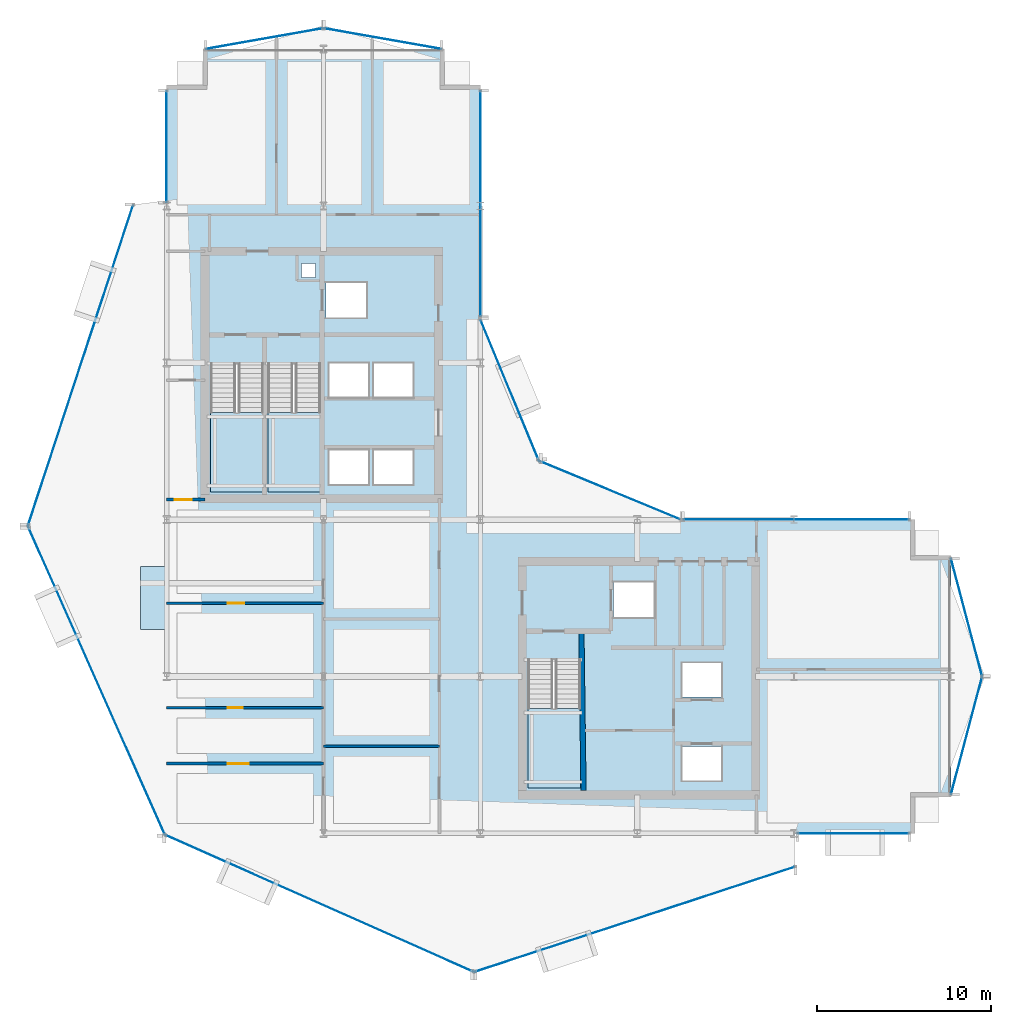
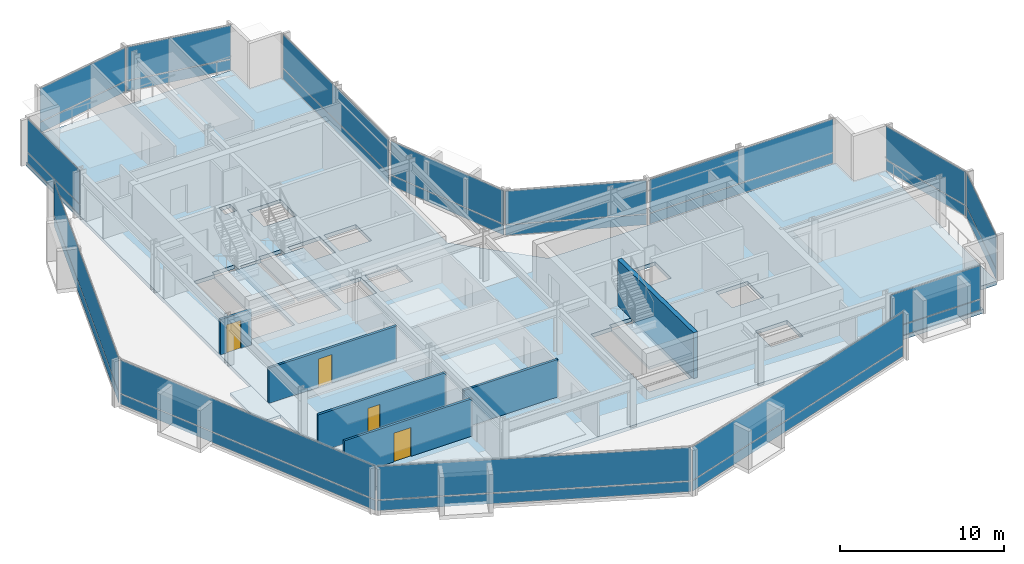
# One storey, part 21 of 28: 28 plates, 6 walls, 5 slabs, 4 doors, 4 openings, 17 elements without a shape of their own.
"""IFC4 building model written with IfcOpenShell, lengths in metres."""

import ifcopenshell
import ifcopenshell.guid

model = None  # the IFC model being written
_history = None  # IfcOwnerHistory: only IFC2X3 demands one
_inside = {}  # id of a spatial element -> (the spatial element, [elements in it])
_under = {}  # id of a project, library or spatial element -> (it, [spatial elements below it])
_declared = {}  # id of a project -> (the project, [libraries it declares])
_typed = {}  # id of a type object -> (the type object, [elements of that type])
_made_of = {}  # id of a material, layer set ... -> (it, [elements and type objects made of it])


def new_model(schema):
    """Start an empty IFC model of exactly this schema.

    Asked for "IFC4X3", IfcOpenShell would pick the latest addendum, in which some entities
    have other attributes; the version numbers below select the first issue.
    IFC2X3 requires an IfcOwnerHistory on every rooted entity: one is made here for all.
    """
    global model, _history
    if schema == "IFC4X3":
        model = ifcopenshell.file(schema_version=(4, 3, 0, 0))
    else:
        model = ifcopenshell.file(schema=schema)
    _inside.clear()
    _under.clear()
    _declared.clear()
    _typed.clear()
    _made_of.clear()
    _history = None
    if model.schema == "IFC2X3":
        org = make("IfcOrganization", Name="unknown")
        user = make(
            "IfcPersonAndOrganization",
            ThePerson=make("IfcPerson", FamilyName="unknown"),
            TheOrganization=org,
        )
        app = make(
            "IfcApplication",
            ApplicationDeveloper=org,
            Version="unknown",
            ApplicationFullName="unknown",
            ApplicationIdentifier="unknown",
        )
        _history = make(
            "IfcOwnerHistory",
            OwningUser=user,
            OwningApplication=app,
            ChangeAction="ADDED",
            CreationDate=0,
        )
    return model


def make(cls, **values):
    """One entity of the class cls with the attributes given. An attribute that is None is left unset."""
    return model.create_entity(
        cls, **{name: value for name, value in values.items() if value is not None}
    )


def rooted(cls, **values):
    """An entity with a GlobalId (a new one), such as an element, a storey or a relation."""
    return make(cls, GlobalId=ifcopenshell.guid.new(), OwnerHistory=_history, **values)


def si_unit(unit_type, name, prefix=None):
    """IfcSIUnit, for example si_unit("LENGTHUNIT", "METRE", prefix="MILLI")."""
    return make("IfcSIUnit", UnitType=unit_type, Prefix=prefix, Name=name)


def assignment(units):
    """IfcUnitAssignment: the units of a project."""
    return None if units is None else make("IfcUnitAssignment", Units=units)


def point(xyz):
    """IfcCartesianPoint."""
    return None if xyz is None else make("IfcCartesianPoint", Coordinates=xyz)


def direction(xyz):
    """IfcDirection."""
    return None if xyz is None else make("IfcDirection", DirectionRatios=xyz)


def frame(location, z_axis=None, x_axis=None):
    """IfcAxis2Placement3D, a coordinate frame: its origin and axes. An axis left out is left unset."""
    return make(
        "IfcAxis2Placement3D",
        Location=point(location),
        Axis=direction(z_axis),
        RefDirection=direction(x_axis),
    )


def frame_2d(location, x_axis=None):
    """IfcAxis2Placement2D, a coordinate frame in the plane: its origin and x axis."""
    return make(
        "IfcAxis2Placement2D", Location=point(location), RefDirection=direction(x_axis)
    )


def origin():
    """The frame at (0, 0, 0) with its axes left unset."""
    return frame((0.0, 0.0, 0.0))


def origin_2d():
    """The frame at (0, 0) in the plane with its x axis left unset."""
    return frame_2d((0.0, 0.0))


def place(relative_to, where):
    """IfcLocalPlacement: puts the frame where relative to a parent placement (None: the world)."""
    return make(
        "IfcLocalPlacement", PlacementRelTo=relative_to, RelativePlacement=where
    )


def context(
    kind, dimensions, precision=None, world=None, true_north=None, identifier=None
):
    """IfcGeometricRepresentationContext, for example the 3D "Model" context."""
    return make(
        "IfcGeometricRepresentationContext",
        ContextIdentifier=identifier,
        ContextType=kind,
        CoordinateSpaceDimension=dimensions,
        Precision=precision,
        WorldCoordinateSystem=world,
        TrueNorth=true_north,
    )


def subcontext(parent, identifier, kind, view, scale=None):
    """IfcGeometricRepresentationSubContext, for example "Body" below "Model"."""
    return make(
        "IfcGeometricRepresentationSubContext",
        ContextIdentifier=identifier,
        ContextType=kind,
        ParentContext=parent,
        TargetScale=scale,
        TargetView=view,
    )


def project(units=None, contexts=None):
    """IfcProject with its units and contexts."""
    return rooted(
        "IfcProject",
        Name="project",
        RepresentationContexts=contexts,
        UnitsInContext=assignment(units),
    )


def spatial(cls, under=None, at=None, **own):
    """A site, building, storey or space (cls), placed at a placement, below another one or the project."""
    s = rooted(cls, ObjectPlacement=at, **own)
    if under is not None:
        _under.setdefault(under.id(), (under, []))[1].append(s)
    return s


def polyline(points):
    """IfcPolyline through the points."""
    return make("IfcPolyline", Points=[point(p) for p in points])


def profile(cls, at=None, kind="AREA", **sizes):
    """A parametric profile (cls). Its sizes go by their IFC names, for example OverallWidth=200.0."""
    return make(cls, ProfileType=kind, Position=at, **sizes)


def rectangle(**sizes):
    """IfcRectangleProfileDef."""
    return profile("IfcRectangleProfileDef", **sizes)


def outline(outer, holes=None, kind="AREA"):
    """IfcArbitraryClosedProfileDef: a profile drawn as a closed curve; with holes, ...WithVoids."""
    if holes is None:
        return make("IfcArbitraryClosedProfileDef", ProfileType=kind, OuterCurve=outer)
    return make(
        "IfcArbitraryProfileDefWithVoids",
        ProfileType=kind,
        OuterCurve=outer,
        InnerCurves=holes,
    )


def extrude(swept, where, along, depth):
    """IfcExtrudedAreaSolid: the profile swept, set in the frame where, extruded along a direction by depth."""
    return make(
        "IfcExtrudedAreaSolid",
        SweptArea=swept,
        Position=where,
        ExtrudedDirection=direction(along),
        Depth=depth,
    )


def shape(context_of_items, identifier, shape_type, items):
    """IfcShapeRepresentation: the items that make up one representation, for example the "Body"."""
    return make(
        "IfcShapeRepresentation",
        ContextOfItems=context_of_items,
        RepresentationIdentifier=identifier,
        RepresentationType=shape_type,
        Items=items,
    )


def material(Name=None, Category=None):
    """IfcMaterial."""
    return make("IfcMaterial", Name=Name, Category=Category)


def layer(
    of_material, thickness, ventilated=None, Name=None, Category=None, Priority=None
):
    """IfcMaterialLayer: one layer of a wall or slab, of a material (None: an air gap)."""
    return make(
        "IfcMaterialLayer",
        Material=of_material,
        LayerThickness=thickness,
        IsVentilated=ventilated,
        Name=Name,
        Category=Category,
        Priority=Priority,
    )


def layer_set(layers, Name=None):
    """IfcMaterialLayerSet."""
    return make("IfcMaterialLayerSet", MaterialLayers=layers, LayerSetName=Name)


def made_of(thing, what):
    """Note that an element or type object is made of a material, layer set ...; save() writes the relation."""
    if what is not None:
        _made_of.setdefault(what.id(), (what, []))[1].append(thing)
    return thing


def type_object(cls, material=None, **own):
    """A type object (cls), such as IfcWallType, which elements share."""
    return made_of(rooted(cls, **own), material)


def element(
    cls,
    number,
    at=None,
    inside=None,
    cuts=None,
    type_object=None,
    material=None,
    context=None,
    identifier="Body",
    shape_type=None,
    held_by="IfcProductDefinitionShape",
    body=None,
    shapes=None,
    **own,
):
    """One element of the class cls, such as IfcWall. Its Tag is "e" and its number.

    at: its placement. inside: the storey or other place that contains it. cuts: it is an
    opening in that element (IfcRelVoidsElement). A single representation is given by context,
    identifier, shape_type and body (its items); several are given by shapes. held_by: the class
    of the entity that holds the representations. save() writes the other relations.
    """
    e = rooted(cls, Tag="e%d" % number, ObjectPlacement=at, **own)
    if body is not None:
        shapes = [shape(context, identifier, shape_type, body)]
    if shapes is not None:
        e.Representation = make(held_by, Representations=shapes)
    if inside is not None:
        _inside.setdefault(inside.id(), (inside, []))[1].append(e)
    if cuts is not None:
        rooted(
            "IfcRelVoidsElement", RelatingBuildingElement=cuts, RelatedOpeningElement=e
        )
    if type_object is not None:
        _typed.setdefault(type_object.id(), (type_object, []))[1].append(e)
    return made_of(e, material)


def fill(opening, filler):
    """IfcRelFillsElement: the door or window that sits in an opening."""
    return rooted(
        "IfcRelFillsElement",
        RelatingOpeningElement=opening,
        RelatedBuildingElement=filler,
    )


def aggregate(whole, parts):
    """IfcRelAggregates: a whole, such as a stair, and the parts it consists of."""
    return rooted("IfcRelAggregates", RelatingObject=whole, RelatedObjects=parts)


def save(model, path):
    """Write the relations noted so far, then the file.

    IfcRelAggregates (storeys below a building ...), IfcRelContainedInSpatialStructure (elements
    in a storey), IfcRelDefinesByType, IfcRelAssociatesMaterial and IfcRelDeclares: one each for
    every whole, place, type object, material and project.
    """
    for whole, parts in _under.values():
        aggregate(whole, parts)
    for where, things in _inside.values():
        rooted(
            "IfcRelContainedInSpatialStructure",
            RelatedElements=things,
            RelatingStructure=where,
        )
    for kind, things in _typed.values():
        rooted("IfcRelDefinesByType", RelatedObjects=things, RelatingType=kind)
    for what, things in _made_of.values():
        rooted("IfcRelAssociatesMaterial", RelatedObjects=things, RelatingMaterial=what)
    for by, libraries in _declared.values():
        rooted("IfcRelDeclares", RelatingContext=by, RelatedDefinitions=libraries)
    model.write(path)


model = new_model("IFC4")

# Units and contexts
model_context = context("Model", 3, precision=1e-05, world=origin(), true_north=direction((0.0, 1.0)))
body_context = subcontext(model_context, "Body", "Model", "MODEL_VIEW")
ifc_project = project(units=[si_unit("LENGTHUNIT", "METRE"), si_unit("AREAUNIT", "SQUARE_METRE"), si_unit("VOLUMEUNIT", "CUBIC_METRE"), si_unit("PLANEANGLEUNIT", "RADIAN"), si_unit("MASSUNIT", "GRAM", prefix="KILO")], contexts=[model_context])

# Site, building, storey
site_placement = place(None, origin())
site = spatial("IfcSite", under=ifc_project, at=site_placement, CompositionType="ELEMENT")
building_placement = place(site_placement, origin())
building = spatial("IfcBuilding", under=site, at=building_placement, Name="Solvaryn Broadcast Tower", CompositionType="ELEMENT")
storey_placement = place(building_placement, frame((0.0, 0.0, 132.199951171875)))
storey = spatial("IfcBuildingStorey", under=building, at=storey_placement, Name="L32", CompositionType="ELEMENT", Elevation=132.199951171875)

# Curtain wall, plates
ifc_material_1 = material(Name="Aluminium and Terracotta Unitised Curtain Wall", Category="masonry")
ifc_layer_1 = layer(ifc_material_1, 0.199951171875)
ifc_layer_set_1 = layer_set([ifc_layer_1], Name="CW-SYS2-LOWMID")
curtain_wall_type = type_object("IfcCurtainWallType", Name="CW-SYS2-LOWMID", PredefinedType="NOTDEFINED", material=ifc_layer_set_1)
curtain_wall_1_placement = place(storey_placement, origin())
curtain_wall_1 = element("IfcCurtainWall", 1, at=curtain_wall_1_placement, inside=storey, type_object=curtain_wall_type, Name="L32 Curtain Wall DR1", PredefinedType="NOTDEFINED")
ifc_material_2 = material(Name="Kiln-Fired Architectural Terracotta Spandrel", Category="masonry")
ifc_layer_2 = layer(ifc_material_2, 0.048095703125)
ifc_layer_set_2 = layer_set([ifc_layer_2], Name="CW-PNL-TERRACOTTA")
plate_type = type_object("IfcPlateType", Name="CW-PNL-TERRACOTTA", PredefinedType="CURTAIN_PANEL", material=ifc_layer_set_2)
plate_1_placement = place(storey_placement, frame((4.056396484375, 35.8515625, 0.06005859375), z_axis=(0.0, 0.0, 1.0), x_axis=(-0.311646057547, -0.950198260794, 0.0)))
plate_1 = element("IfcPlate", 2, at=plate_1_placement, type_object=plate_type, Name="CWS2 panel 1.1", PredefinedType="CURTAIN_PANEL", context=body_context, shape_type="SweptSolid", body=[
    extrude(rectangle(XDim=19.277099609375, YDim=0.028076171875, at=origin_2d()), origin(), (0.0, 0.0, 1.0), 0.760009765625),
])
plate_2_placement = place(storey_placement, frame((4.056396484375, 35.8515625, 0.880126953125), z_axis=(0.0, 0.0, 1.0), x_axis=(-0.311646057547, -0.950198260794, 0.0)))
plate_2 = element("IfcPlate", 3, at=plate_2_placement, type_object=plate_type, Name="CWS2 panel 1.2", PredefinedType="CURTAIN_PANEL", context=body_context, shape_type="SweptSolid", body=[
    extrude(rectangle(XDim=19.277099609375, YDim=0.028076171875, at=origin_2d()), origin(), (0.0, 0.0, 1.0), 2.47998046875),
])
aggregate(curtain_wall_1, [plate_1, plate_2])

curtain_wall_2_placement = place(storey_placement, origin())
curtain_wall_2 = element("IfcCurtainWall", 4, at=curtain_wall_2_placement, inside=storey, type_object=curtain_wall_type, Name="L32 Curtain Wall DR2", PredefinedType="NOTDEFINED")
plate_3_placement = place(storey_placement, frame((4.970947265625, 17.77197265625, 0.06005859375), z_axis=(0.0, 0.0, 1.0), x_axis=(0.405918429309, -0.913909311008, 0.0)))
plate_3 = element("IfcPlate", 5, at=plate_3_placement, type_object=plate_type, Name="CWS2 panel 1.1", PredefinedType="CURTAIN_PANEL", context=body_context, shape_type="SweptSolid", body=[
    extrude(rectangle(XDim=19.278076171875, YDim=0.028076171875, at=origin_2d()), origin(), (0.0, 0.0, 1.0), 0.760009765625),
])
plate_4_placement = place(storey_placement, frame((4.970947265625, 17.77197265625, 0.880126953125), z_axis=(0.0, 0.0, 1.0), x_axis=(0.405918429309, -0.913909311008, 0.0)))
plate_4 = element("IfcPlate", 6, at=plate_4_placement, type_object=plate_type, Name="CWS2 panel 1.2", PredefinedType="CURTAIN_PANEL", context=body_context, shape_type="SweptSolid", body=[
    extrude(rectangle(XDim=19.278076171875, YDim=0.028076171875, at=origin_2d()), origin(), (0.0, 0.0, 1.0), 2.47998046875),
])
aggregate(curtain_wall_2, [plate_3, plate_4])

curtain_wall_3_placement = place(storey_placement, origin())
curtain_wall_3 = element("IfcCurtainWall", 7, at=curtain_wall_3_placement, inside=storey, type_object=curtain_wall_type, Name="L32 Curtain Wall DR3", PredefinedType="NOTDEFINED")
plate_5_placement = place(storey_placement, frame((17.77197265625, 4.970947265625, 0.06005859375), z_axis=(0.0, 0.0, 1.0), x_axis=(0.913909311008, -0.405918429309, 0.0)))
plate_5 = element("IfcPlate", 8, at=plate_5_placement, type_object=plate_type, Name="CWS2 panel 1.1", PredefinedType="CURTAIN_PANEL", context=body_context, shape_type="SweptSolid", body=[
    extrude(rectangle(XDim=19.278076171875, YDim=0.028076171875, at=origin_2d()), origin(), (0.0, 0.0, 1.0), 0.760009765625),
])
plate_6_placement = place(storey_placement, frame((17.77197265625, 4.970947265625, 0.880126953125), z_axis=(0.0, 0.0, 1.0), x_axis=(0.913909311008, -0.405918429309, 0.0)))
plate_6 = element("IfcPlate", 9, at=plate_6_placement, type_object=plate_type, Name="CWS2 panel 1.2", PredefinedType="CURTAIN_PANEL", context=body_context, shape_type="SweptSolid", body=[
    extrude(rectangle(XDim=19.278076171875, YDim=0.028076171875, at=origin_2d()), origin(), (0.0, 0.0, 1.0), 2.47998046875),
])
aggregate(curtain_wall_3, [plate_5, plate_6])

curtain_wall_4_placement = place(storey_placement, origin())
curtain_wall_4 = element("IfcCurtainWall", 10, at=curtain_wall_4_placement, inside=storey, type_object=curtain_wall_type, Name="L32 Curtain Wall DR4", PredefinedType="NOTDEFINED")
plate_7_placement = place(storey_placement, frame((35.8515625, 4.056396484375, 0.06005859375), z_axis=(0.0, 0.0, 1.0), x_axis=(0.950198260794, 0.311646057547, 0.0)))
plate_7 = element("IfcPlate", 11, at=plate_7_placement, type_object=plate_type, Name="CWS2 panel 1.1", PredefinedType="CURTAIN_PANEL", context=body_context, shape_type="SweptSolid", body=[
    extrude(rectangle(XDim=19.277099609375, YDim=0.028076171875, at=origin_2d()), origin(), (0.0, 0.0, 1.0), 0.760009765625),
])
plate_8_placement = place(storey_placement, frame((35.8515625, 4.056396484375, 0.880126953125), z_axis=(0.0, 0.0, 1.0), x_axis=(0.950198260794, 0.311646057547, 0.0)))
plate_8 = element("IfcPlate", 12, at=plate_8_placement, type_object=plate_type, Name="CWS2 panel 1.2", PredefinedType="CURTAIN_PANEL", context=body_context, shape_type="SweptSolid", body=[
    extrude(rectangle(XDim=19.277099609375, YDim=0.028076171875, at=origin_2d()), origin(), (0.0, 0.0, 1.0), 2.47998046875),
])
aggregate(curtain_wall_4, [plate_7, plate_8])

curtain_wall_5_placement = place(storey_placement, origin())
curtain_wall_5 = element("IfcCurtainWall", 13, at=curtain_wall_5_placement, inside=storey, type_object=curtain_wall_type, Name="L32 Curtain Wall W2", PredefinedType="NOTDEFINED")
plate_9_placement = place(storey_placement, frame((9.0, 48.408447265625, 0.06005859375), z_axis=(0.0, 0.0, 1.0), x_axis=(0.0, 1.0, 0.0)))
plate_9 = element("IfcPlate", 14, at=plate_9_placement, type_object=plate_type, Name="CWS2 panel 1.1", PredefinedType="CURTAIN_PANEL", context=body_context, shape_type="SweptSolid", body=[
    extrude(rectangle(XDim=6.363037109375, YDim=0.028076171875, at=origin_2d()), origin(), (0.0, 0.0, 1.0), 0.760009765625),
])
plate_10_placement = place(storey_placement, frame((9.0, 48.408447265625, 0.880126953125), z_axis=(0.0, 0.0, 1.0), x_axis=(0.0, 1.0, 0.0)))
plate_10 = element("IfcPlate", 15, at=plate_10_placement, type_object=plate_type, Name="CWS2 panel 1.2", PredefinedType="CURTAIN_PANEL", context=body_context, shape_type="SweptSolid", body=[
    extrude(rectangle(XDim=6.363037109375, YDim=0.028076171875, at=origin_2d()), origin(), (0.0, 0.0, 1.0), 2.47998046875),
])
aggregate(curtain_wall_5, [plate_9, plate_10])

curtain_wall_6_placement = place(storey_placement, origin())
curtain_wall_6 = element("IfcCurtainWall", 16, at=curtain_wall_6_placement, inside=storey, type_object=curtain_wall_type, Name="L32 Curtain Wall IV", PredefinedType="NOTDEFINED")
plate_11_placement = place(storey_placement, frame((27.0, 45.125, 0.06005859375), z_axis=(0.0, 0.0, 1.0), x_axis=(0.0, -1.0, 0.0)))
plate_11 = element("IfcPlate", 17, at=plate_11_placement, type_object=plate_type, Name="CWS2 panel 1.1", PredefinedType="CURTAIN_PANEL", context=body_context, shape_type="SweptSolid", body=[
    extrude(rectangle(XDim=12.929931640625, YDim=0.028076171875, at=origin_2d()), origin(), (0.0, 0.0, 1.0), 0.760009765625),
])
plate_12_placement = place(storey_placement, frame((27.0, 45.125, 0.880126953125), z_axis=(0.0, 0.0, 1.0), x_axis=(0.0, -1.0, 0.0)))
plate_12 = element("IfcPlate", 18, at=plate_12_placement, type_object=plate_type, Name="CWS2 panel 1.2", PredefinedType="CURTAIN_PANEL", context=body_context, shape_type="SweptSolid", body=[
    extrude(rectangle(XDim=12.929931640625, YDim=0.028076171875, at=origin_2d()), origin(), (0.0, 0.0, 1.0), 2.47998046875),
])
aggregate(curtain_wall_6, [plate_11, plate_12])

curtain_wall_7_placement = place(storey_placement, origin())
curtain_wall_7 = element("IfcCurtainWall", 19, at=curtain_wall_7_placement, inside=storey, type_object=curtain_wall_type, Name="L32 Curtain Wall CN1", PredefinedType="NOTDEFINED")
plate_13_placement = place(storey_placement, frame((34.43408203125, 28.68408203125, 0.06005859375), z_axis=(0.0, 0.0, 1.0), x_axis=(-0.923894983957, 0.382646127145, 0.0)))
plate_13 = element("IfcPlate", 20, at=plate_13_placement, type_object=plate_type, Name="CWS2 panel 1.1", PredefinedType="CURTAIN_PANEL", context=body_context, shape_type="SweptSolid", body=[
    extrude(rectangle(XDim=8.681884765625, YDim=0.028076171875, at=origin_2d()), origin(), (0.0, 0.0, 1.0), 0.760009765625),
])
plate_14_placement = place(storey_placement, frame((34.43408203125, 28.68408203125, 0.880126953125), z_axis=(0.0, 0.0, 1.0), x_axis=(-0.923894983957, 0.382646127145, 0.0)))
plate_14 = element("IfcPlate", 21, at=plate_14_placement, type_object=plate_type, Name="CWS2 panel 1.2", PredefinedType="CURTAIN_PANEL", context=body_context, shape_type="SweptSolid", body=[
    extrude(rectangle(XDim=8.681884765625, YDim=0.028076171875, at=origin_2d()), origin(), (0.0, 0.0, 1.0), 2.47998046875),
])
aggregate(curtain_wall_7, [plate_13, plate_14])

curtain_wall_8_placement = place(storey_placement, origin())
curtain_wall_8 = element("IfcCurtainWall", 22, at=curtain_wall_8_placement, inside=storey, type_object=curtain_wall_type, Name="L32 Curtain Wall CN2", PredefinedType="NOTDEFINED")
plate_15_placement = place(storey_placement, frame((28.68408203125, 34.43408203125, 0.06005859375), z_axis=(0.0, 0.0, 1.0), x_axis=(-0.382646127145, 0.923894983957, 0.0)))
plate_15 = element("IfcPlate", 23, at=plate_15_placement, type_object=plate_type, Name="CWS2 panel 1.1", PredefinedType="CURTAIN_PANEL", context=body_context, shape_type="SweptSolid", body=[
    extrude(rectangle(XDim=8.681884765625, YDim=0.028076171875, at=origin_2d()), origin(), (0.0, 0.0, 1.0), 0.760009765625),
])
plate_16_placement = place(storey_placement, frame((28.68408203125, 34.43408203125, 0.880126953125), z_axis=(0.0, 0.0, 1.0), x_axis=(-0.382646127145, 0.923894983957, 0.0)))
plate_16 = element("IfcPlate", 24, at=plate_16_placement, type_object=plate_type, Name="CWS2 panel 1.2", PredefinedType="CURTAIN_PANEL", context=body_context, shape_type="SweptSolid", body=[
    extrude(rectangle(XDim=8.681884765625, YDim=0.028076171875, at=origin_2d()), origin(), (0.0, 0.0, 1.0), 2.47998046875),
])
aggregate(curtain_wall_8, [plate_15, plate_16])

curtain_wall_9_placement = place(storey_placement, origin())
curtain_wall_9 = element("IfcCurtainWall", 25, at=curtain_wall_9_placement, inside=storey, type_object=curtain_wall_type, Name="L32 Curtain Wall S2", PredefinedType="NOTDEFINED")
plate_17_placement = place(storey_placement, frame((48.408447265625, 9.0, 0.06005859375), z_axis=(0.0, 0.0, 1.0), x_axis=(1.0, 0.0, 0.0)))
plate_17 = element("IfcPlate", 26, at=plate_17_placement, type_object=plate_type, Name="CWS2 panel 1.1", PredefinedType="CURTAIN_PANEL", context=body_context, shape_type="SweptSolid", body=[
    extrude(rectangle(XDim=6.363037109375, YDim=0.028076171875, at=origin_2d()), origin(), (0.0, 0.0, 1.0), 0.760009765625),
])
plate_18_placement = place(storey_placement, frame((48.408447265625, 9.0, 0.880126953125), z_axis=(0.0, 0.0, 1.0), x_axis=(1.0, 0.0, 0.0)))
plate_18 = element("IfcPlate", 27, at=plate_18_placement, type_object=plate_type, Name="CWS2 panel 1.2", PredefinedType="CURTAIN_PANEL", context=body_context, shape_type="SweptSolid", body=[
    extrude(rectangle(XDim=6.363037109375, YDim=0.028076171875, at=origin_2d()), origin(), (0.0, 0.0, 1.0), 2.47998046875),
])
aggregate(curtain_wall_9, [plate_17, plate_18])

curtain_wall_10_placement = place(storey_placement, origin())
curtain_wall_10 = element("IfcCurtainWall", 28, at=curtain_wall_10_placement, inside=storey, type_object=curtain_wall_type, Name="L32 Curtain Wall NT1", PredefinedType="NOTDEFINED")
plate_19_placement = place(storey_placement, frame((21.39990234375, 54.60009765625, 0.06005859375), z_axis=(0.0, 0.0, 1.0), x_axis=(-0.984783558819, 0.173785333901, 0.0)))
plate_19 = element("IfcPlate", 29, at=plate_19_placement, type_object=plate_type, Name="CWS2 panel 1.1", PredefinedType="CURTAIN_PANEL", context=body_context, shape_type="SweptSolid", body=[
    extrude(rectangle(XDim=6.78515625, YDim=0.028076171875, at=origin_2d()), origin(), (0.0, 0.0, 1.0), 0.760009765625),
])
plate_20_placement = place(storey_placement, frame((21.39990234375, 54.60009765625, 0.880126953125), z_axis=(0.0, 0.0, 1.0), x_axis=(-0.984783558819, 0.173785333901, 0.0)))
plate_20 = element("IfcPlate", 30, at=plate_20_placement, type_object=plate_type, Name="CWS2 panel 1.2", PredefinedType="CURTAIN_PANEL", context=body_context, shape_type="SweptSolid", body=[
    extrude(rectangle(XDim=6.78515625, YDim=0.028076171875, at=origin_2d()), origin(), (0.0, 0.0, 1.0), 2.47998046875),
])
aggregate(curtain_wall_10, [plate_19, plate_20])

curtain_wall_11_placement = place(storey_placement, origin())
curtain_wall_11 = element("IfcCurtainWall", 31, at=curtain_wall_11_placement, inside=storey, type_object=curtain_wall_type, Name="L32 Curtain Wall NT2", PredefinedType="NOTDEFINED")
plate_21_placement = place(storey_placement, frame((14.60009765625, 54.60009765625, 0.06005859375), z_axis=(0.0, 0.0, 1.0), x_axis=(-0.984783558819, -0.173785333901, 0.0)))
plate_21 = element("IfcPlate", 32, at=plate_21_placement, type_object=plate_type, Name="CWS2 panel 1.1", PredefinedType="CURTAIN_PANEL", context=body_context, shape_type="SweptSolid", body=[
    extrude(rectangle(XDim=6.78515625, YDim=0.028076171875, at=origin_2d()), origin(), (0.0, 0.0, 1.0), 0.760009765625),
])
plate_22_placement = place(storey_placement, frame((14.60009765625, 54.60009765625, 0.880126953125), z_axis=(0.0, 0.0, 1.0), x_axis=(-0.984783558819, -0.173785333901, 0.0)))
plate_22 = element("IfcPlate", 33, at=plate_22_placement, type_object=plate_type, Name="CWS2 panel 1.2", PredefinedType="CURTAIN_PANEL", context=body_context, shape_type="SweptSolid", body=[
    extrude(rectangle(XDim=6.78515625, YDim=0.028076171875, at=origin_2d()), origin(), (0.0, 0.0, 1.0), 2.47998046875),
])
aggregate(curtain_wall_11, [plate_21, plate_22])

curtain_wall_12_placement = place(storey_placement, origin())
curtain_wall_12 = element("IfcCurtainWall", 34, at=curtain_wall_12_placement, inside=storey, type_object=curtain_wall_type, Name="L32 Curtain Wall ET1", PredefinedType="NOTDEFINED")
plate_23_placement = place(storey_placement, frame((54.89990234375, 21.39990234375, 0.06005859375), z_axis=(0.0, 0.0, 1.0), x_axis=(0.25589256031, -0.966705227863, 0.0)))
plate_23 = element("IfcPlate", 35, at=plate_23_placement, type_object=plate_type, Name="CWS2 panel 1.1", PredefinedType="CURTAIN_PANEL", context=body_context, shape_type="SweptSolid", body=[
    extrude(rectangle(XDim=6.914306640625, YDim=0.028076171875, at=origin_2d()), origin(), (0.0, 0.0, 1.0), 0.760009765625),
])
plate_24_placement = place(storey_placement, frame((54.89990234375, 21.39990234375, 0.880126953125), z_axis=(0.0, 0.0, 1.0), x_axis=(0.25589256031, -0.966705227863, 0.0)))
plate_24 = element("IfcPlate", 36, at=plate_24_placement, type_object=plate_type, Name="CWS2 panel 1.2", PredefinedType="CURTAIN_PANEL", context=body_context, shape_type="SweptSolid", body=[
    extrude(rectangle(XDim=6.914306640625, YDim=0.028076171875, at=origin_2d()), origin(), (0.0, 0.0, 1.0), 2.47998046875),
])
aggregate(curtain_wall_12, [plate_23, plate_24])

curtain_wall_13_placement = place(storey_placement, origin())
curtain_wall_13 = element("IfcCurtainWall", 37, at=curtain_wall_13_placement, inside=storey, type_object=curtain_wall_type, Name="L32 Curtain Wall ET2", PredefinedType="NOTDEFINED")
plate_25_placement = place(storey_placement, frame((54.89990234375, 14.60009765625, 0.06005859375), z_axis=(0.0, 0.0, 1.0), x_axis=(-0.25589256031, -0.966705227863, 0.0)))
plate_25 = element("IfcPlate", 38, at=plate_25_placement, type_object=plate_type, Name="CWS2 panel 1.1", PredefinedType="CURTAIN_PANEL", context=body_context, shape_type="SweptSolid", body=[
    extrude(rectangle(XDim=6.914306640625, YDim=0.028076171875, at=origin_2d()), origin(), (0.0, 0.0, 1.0), 0.760009765625),
])
plate_26_placement = place(storey_placement, frame((54.89990234375, 14.60009765625, 0.880126953125), z_axis=(0.0, 0.0, 1.0), x_axis=(-0.25589256031, -0.966705227863, 0.0)))
plate_26 = element("IfcPlate", 39, at=plate_26_placement, type_object=plate_type, Name="CWS2 panel 1.2", PredefinedType="CURTAIN_PANEL", context=body_context, shape_type="SweptSolid", body=[
    extrude(rectangle(XDim=6.914306640625, YDim=0.028076171875, at=origin_2d()), origin(), (0.0, 0.0, 1.0), 2.47998046875),
])
aggregate(curtain_wall_13, [plate_25, plate_26])

curtain_wall_14_placement = place(storey_placement, origin())
curtain_wall_14 = element("IfcCurtainWall", 40, at=curtain_wall_14_placement, inside=storey, type_object=curtain_wall_type, Name="L32 Curtain Wall IH", PredefinedType="NOTDEFINED")
plate_27_placement = place(storey_placement, frame((45.125, 27.0, 0.06005859375), z_axis=(0.0, 0.0, 1.0), x_axis=(1.0, 0.0, 0.0)))
plate_27 = element("IfcPlate", 41, at=plate_27_placement, type_object=plate_type, Name="CWS2 panel 1.1", PredefinedType="CURTAIN_PANEL", context=body_context, shape_type="SweptSolid", body=[
    extrude(rectangle(XDim=12.929931640625, YDim=0.028076171875, at=origin_2d()), origin(), (0.0, 0.0, 1.0), 0.760009765625),
])
plate_28_placement = place(storey_placement, frame((45.125, 27.0, 0.880126953125), z_axis=(0.0, 0.0, 1.0), x_axis=(1.0, 0.0, 0.0)))
plate_28 = element("IfcPlate", 42, at=plate_28_placement, type_object=plate_type, Name="CWS2 panel 1.2", PredefinedType="CURTAIN_PANEL", context=body_context, shape_type="SweptSolid", body=[
    extrude(rectangle(XDim=12.929931640625, YDim=0.028076171875, at=origin_2d()), origin(), (0.0, 0.0, 1.0), 2.47998046875),
])
aggregate(curtain_wall_14, [plate_27, plate_28])

# Slab
ifc_material_3 = material(Name="Concrete f'c 60 MPa", Category="concrete")
ifc_layer_3 = layer(ifc_material_3, 0.2099609375)
ifc_layer_set_3 = layer_set([ifc_layer_3], Name="SL-BAYBOX-210")
slab_type_1 = type_object("IfcSlabType", Name="SL-BAYBOX-210", PredefinedType="FLOOR", material=ifc_layer_set_3)
slab_1_placement = place(storey_placement, frame((0.0, 0.0, -0.2099609375)))
element("IfcSlab", 43, at=slab_1_placement, inside=storey, type_object=slab_type_1, Name="L32 Projecting Bay-Box Slab 1", PredefinedType="FLOOR", context=body_context, shape_type="SweptSolid", body=[
    extrude(outline(polyline([(7.5, 20.699951171875), (9.0, 20.699951171875), (9.0, 24.300048828125), (7.5, 24.300048828125), (7.5, 20.699951171875)])), origin(), (0.0, 0.0, 1.0), 0.2099609375),
])

# Stair, slab
ifc_material_4 = material(Name="Concrete f'c 60 MPa", Category="concrete")
stair_type = type_object("IfcStairType", Name="ST-CORE", PredefinedType="HALF_TURN_STAIR", material=ifc_material_4)
stair_1_placement = place(storey_placement, origin())
stair_1 = element("IfcStair", 44, at=stair_1_placement, inside=storey, type_object=stair_type, Name="L32 ST1", PredefinedType="HALF_TURN_STAIR")
ifc_material_5 = material(Name="Concrete f'c 60 MPa", Category="concrete")
ifc_layer_4 = layer(ifc_material_5, 0.199951171875)
ifc_layer_set_4 = layer_set([ifc_layer_4], Name="SL-LANDING-200")
slab_type_2 = type_object("IfcSlabType", Name="SL-LANDING-200", PredefinedType="LANDING", material=ifc_layer_set_4)
slab_2_placement = place(storey_placement, frame((0.0, 0.0, 1.650146484375)))
slab_2 = element("IfcSlab", 45, at=slab_2_placement, type_object=slab_type_2, Name="ST1 landing 1", PredefinedType="LANDING", context=body_context, shape_type="SweptSolid", body=[
    extrude(outline(polyline([(11.52001953125, 33.159912109375), (11.52001953125, 28.60009765625), (14.550048828125, 28.60009765625), (14.550048828125, 33.159912109375), (11.52001953125, 33.159912109375)])), origin(), (0.0, 0.0, 1.0), 0.199951171875),
])
aggregate(stair_1, [slab_2])

stair_2_placement = place(storey_placement, origin())
stair_2 = element("IfcStair", 46, at=stair_2_placement, inside=storey, type_object=stair_type, Name="L32 ST2", PredefinedType="HALF_TURN_STAIR")
slab_3_placement = place(storey_placement, frame((0.0, 0.0, 1.650146484375)))
slab_3 = element("IfcSlab", 47, at=slab_3_placement, type_object=slab_type_2, Name="ST2 landing 1", PredefinedType="LANDING", context=body_context, shape_type="SweptSolid", body=[
    extrude(outline(polyline([(14.800048828125, 33.159912109375), (14.800048828125, 28.60009765625), (17.830078125, 28.60009765625), (17.830078125, 33.159912109375), (14.800048828125, 33.159912109375)])), origin(), (0.0, 0.0, 1.0), 0.199951171875),
])
aggregate(stair_2, [slab_3])

stair_3_placement = place(storey_placement, origin())
stair_3 = element("IfcStair", 48, at=stair_3_placement, inside=storey, type_object=stair_type, Name="L32 ST3", PredefinedType="HALF_TURN_STAIR")
slab_4_placement = place(storey_placement, frame((0.0, 0.0, 1.650146484375)))
slab_4 = element("IfcSlab", 49, at=slab_4_placement, type_object=slab_type_2, Name="ST3 landing 1", PredefinedType="LANDING", context=body_context, shape_type="SweptSolid", body=[
    extrude(outline(polyline([(29.719970703125, 16.159912109375), (29.719970703125, 11.60009765625), (32.75, 11.60009765625), (32.75, 16.159912109375), (29.719970703125, 16.159912109375)])), origin(), (0.0, 0.0, 1.0), 0.199951171875),
])
aggregate(stair_3, [slab_4])

# Slab
ifc_material_6 = material(Name="Concrete f'c 60 MPa", Category="concrete")
ifc_layer_5 = layer(ifc_material_6, 0.280029296875)
ifc_layer_set_5 = layer_set([ifc_layer_5], Name="SL-TWR-280")
slab_type_3 = type_object("IfcSlabType", Name="SL-TWR-280", PredefinedType="FLOOR", material=ifc_layer_set_5)
slab_5_placement = place(storey_placement, frame((0.0, 0.0, -0.280029296875)))
element("IfcSlab", 50, at=slab_5_placement, inside=storey, type_object=slab_type_3, Name="L32 Structural Floor Slab", PredefinedType="FLOOR", context=body_context, shape_type="SweptSolid", body=[
    extrude(outline(polyline([(11.199951171875, 9.0), (51.800048828125, 9.0), (51.800048828125, 11.199951171875), (54.0, 11.199951171875), (54.0, 24.800048828125), (51.800048828125, 24.800048828125), (51.800048828125, 27.0), (31.5, 27.0), (27.0, 31.5), (27.0, 51.800048828125), (24.800048828125, 51.800048828125), (24.800048828125, 54.0), (11.199951171875, 54.0), (11.199951171875, 51.800048828125), (9.0, 51.800048828125), (9.0, 11.199951171875), (11.199951171875, 11.199951171875), (11.199951171875, 9.0)]), holes=[polyline([(11.52001953125, 28.60009765625), (14.550048828125, 28.60009765625), (14.550048828125, 35.9599609375), (12.97998046875, 35.9599609375), (12.97998046875, 35.679931640625), (11.52001953125, 35.679931640625), (11.52001953125, 28.60009765625)]), polyline([(14.800048828125, 28.60009765625), (17.830078125, 28.60009765625), (17.830078125, 35.9599609375), (16.260009765625, 35.9599609375), (16.260009765625, 35.679931640625), (14.800048828125, 35.679931640625), (14.800048828125, 28.60009765625)]), polyline([(29.719970703125, 11.60009765625), (32.75, 11.60009765625), (32.75, 18.9599609375), (31.179931640625, 18.9599609375), (31.179931640625, 18.679931640625), (29.719970703125, 18.679931640625), (29.719970703125, 11.60009765625)]), polyline([(18.14990234375, 38.60009765625), (20.449951171875, 38.60009765625), (20.449951171875, 40.60009765625), (18.14990234375, 40.60009765625), (18.14990234375, 38.60009765625)]), polyline([(18.324951171875, 29.02490234375), (20.574951171875, 29.02490234375), (20.574951171875, 30.97509765625), (18.324951171875, 30.97509765625), (18.324951171875, 29.02490234375)]), polyline([(20.875, 29.02490234375), (23.125, 29.02490234375), (23.125, 30.97509765625), (20.875, 30.97509765625), (20.875, 29.02490234375)]), polyline([(18.324951171875, 34.02490234375), (20.574951171875, 34.02490234375), (20.574951171875, 35.97509765625), (18.324951171875, 35.97509765625), (18.324951171875, 34.02490234375)]), polyline([(20.875, 34.02490234375), (23.125, 34.02490234375), (23.125, 35.97509765625), (20.875, 35.97509765625), (20.875, 34.02490234375)]), polyline([(34.64990234375, 21.39990234375), (36.949951171875, 21.39990234375), (36.949951171875, 23.39990234375), (34.64990234375, 23.39990234375), (34.64990234375, 21.39990234375)]), polyline([(38.574951171875, 12.02490234375), (40.824951171875, 12.02490234375), (40.824951171875, 13.97509765625), (38.574951171875, 13.97509765625), (38.574951171875, 12.02490234375)]), polyline([(38.574951171875, 16.824951171875), (40.824951171875, 16.824951171875), (40.824951171875, 18.77490234375), (38.574951171875, 18.77490234375), (38.574951171875, 16.824951171875)]), polyline([(16.75, 40.89990234375), (17.550048828125, 40.89990234375), (17.550048828125, 41.699951171875), (16.75, 41.699951171875), (16.75, 40.89990234375)])]), origin(), (0.0, 0.0, 1.0), 0.280029296875),
])

# Wall, opening, door
ifc_material_7 = material(Name="Metal-Stud Gypsum Office Partition")
ifc_layer_6 = layer(ifc_material_7, 0.159912109375)
ifc_layer_set_6 = layer_set([ifc_layer_6], Name="IW-PART-160")
wall_type_1 = type_object("IfcWallType", Name="IW-PART-160", PredefinedType="PARTITIONING", material=ifc_layer_set_6)
wall_1_placement = place(storey_placement, frame((9.0, 28.14990234375, 0.0), z_axis=(0.0, 0.0, 1.0), x_axis=(1.0, 0.0, 0.0)))
wall_1 = element("IfcWall", 51, at=wall_1_placement, inside=storey, type_object=wall_type_1, Name="L32 Interior Partition IW-L32-WM-S", PredefinedType="PARTITIONING", context=body_context, shape_type="SweptSolid", body=[
    extrude(rectangle(XDim=2.199951171875, YDim=0.159912109375, at=frame_2d((1.10009765625, 0.0))), origin(), (0.0, 0.0, 1.0), 2.634033203125),
])
opening_1_placement = place(wall_1_placement, frame((0.449951171875, 0.0, 0.0)))
opening_1 = element("IfcOpeningElement", 52, at=opening_1_placement, cuts=wall_1, Name="Opening ID02", PredefinedType="OPENING", context=body_context, shape_type="SweptSolid", body=[
    extrude(rectangle(XDim=1.0, YDim=2.10009765625, at=frame_2d((0.5, 1.050048828125))), frame((0.0, 0.090087890625, 0.0), z_axis=(0.0, -1.0, 0.0), x_axis=(1.0, 0.0, 0.0)), (0.0, 0.0, 1.0), 0.179931640625),
])
ifc_material_8 = material(Name="Flush Acoustic Steel and Timber Door Assembly", Category="steel")
door_type_1 = type_object("IfcDoorType", Name="ID-02-1000X2100", OperationType="NOTDEFINED", PredefinedType="DOOR", material=ifc_material_8)
door_1_placement = place(opening_1_placement, origin())
door_1 = element("IfcDoor", 53, at=door_1_placement, inside=storey, type_object=door_type_1, Name="L32 Door DR-L32-WM0", OperationType="SINGLE_SWING_RIGHT", OverallHeight=2.10009765625, OverallWidth=1.0, PredefinedType="DOOR", context=body_context, shape_type="SweptSolid", body=[
    extrude(rectangle(XDim=1.0, YDim=2.10009765625, at=frame_2d((0.5, 1.050048828125))), frame((0.0, 0.02490234375, 0.0), z_axis=(0.0, -1.0, 0.0), x_axis=(1.0, 0.0, 0.0)), (0.0, 0.0, 1.0), 0.050048828125),
])
fill(opening_1, door_1)

# Wall
wall_2_placement = place(storey_placement, frame((18.0, 14.0, 0.0), z_axis=(0.0, 0.0, 1.0), x_axis=(1.0, 0.0, 0.0)))
element("IfcWall", 54, at=wall_2_placement, inside=storey, type_object=wall_type_1, Name="L32 Interior Partition IW-L32-SWE-H1", PredefinedType="PARTITIONING", context=body_context, shape_type="SweptSolid", body=[
    extrude(rectangle(XDim=6.64990234375, YDim=0.159912109375, at=frame_2d((3.324951171875, 0.0))), origin(), (0.0, 0.0, 1.0), 2.7890625),
])

# Wall, opening, door
wall_3_placement = place(storey_placement, frame((9.0, 13.0, 0.0), z_axis=(0.0, 0.0, 1.0), x_axis=(1.0, 0.0, 0.0)))
wall_3 = element("IfcWall", 55, at=wall_3_placement, inside=storey, type_object=wall_type_1, Name="L32 Interior Partition IW-L32-SWW-H1", PredefinedType="PARTITIONING", context=body_context, shape_type="SweptSolid", body=[
    extrude(rectangle(XDim=9.0, YDim=0.159912109375, at=frame_2d((4.5, 0.0))), origin(), (0.0, 0.0, 1.0), 2.7919921875),
])
opening_2_placement = place(wall_3_placement, frame((3.5, 0.0, 0.0)))
opening_2 = element("IfcOpeningElement", 56, at=opening_2_placement, cuts=wall_3, Name="Opening ID04", PredefinedType="OPENING", context=body_context, shape_type="SweptSolid", body=[
    extrude(rectangle(XDim=1.199951171875, YDim=2.14990234375, at=frame_2d((0.60009765625, 1.074951171875))), frame((0.0, 0.090087890625, 0.0), z_axis=(0.0, -1.0, 0.0), x_axis=(1.0, 0.0, 0.0)), (0.0, 0.0, 1.0), 0.179931640625),
])
ifc_material_9 = material(Name="Flush Acoustic Steel and Timber Door Assembly", Category="steel")
door_type_2 = type_object("IfcDoorType", Name="ID-04-1200X2150", OperationType="NOTDEFINED", PredefinedType="DOOR", material=ifc_material_9)
door_2_placement = place(opening_2_placement, origin())
door_2 = element("IfcDoor", 57, at=door_2_placement, inside=storey, type_object=door_type_2, Name="L32 Door DR-L32-SWW-1", OperationType="SINGLE_SWING_LEFT", OverallHeight=2.14990234375, OverallWidth=1.199951171875, PredefinedType="DOOR", context=body_context, shape_type="SweptSolid", body=[
    extrude(rectangle(XDim=1.199951171875, YDim=2.14990234375, at=frame_2d((0.60009765625, 1.074951171875))), frame((0.0, 0.02490234375, 0.0), z_axis=(0.0, -1.0, 0.0), x_axis=(1.0, 0.0, 0.0)), (0.0, 0.0, 1.0), 0.050048828125),
])
fill(opening_2, door_2)

wall_4_placement = place(storey_placement, frame((9.0, 16.199951171875, 0.0), z_axis=(0.0, 0.0, 1.0), x_axis=(1.0, 0.0, 0.0)))
wall_4 = element("IfcWall", 58, at=wall_4_placement, inside=storey, type_object=wall_type_1, Name="L32 Interior Partition IW-L32-SWW-H2", PredefinedType="PARTITIONING", context=body_context, shape_type="SweptSolid", body=[
    extrude(rectangle(XDim=9.0, YDim=0.159912109375, at=frame_2d((4.5, 0.0))), origin(), (0.0, 0.0, 1.0), 2.7919921875),
])
opening_3_placement = place(wall_4_placement, frame((3.5, 0.0, 0.0)))
opening_3 = element("IfcOpeningElement", 59, at=opening_3_placement, cuts=wall_4, Name="Opening ID07", PredefinedType="OPENING", context=body_context, shape_type="SweptSolid", body=[
    extrude(rectangle(XDim=0.860107421875, YDim=2.050048828125, at=frame_2d((0.43017578125, 1.02490234375))), frame((0.0, 0.090087890625, 0.0), z_axis=(0.0, -1.0, 0.0), x_axis=(1.0, 0.0, 0.0)), (0.0, 0.0, 1.0), 0.179931640625),
])
ifc_material_10 = material(Name="Flush Acoustic Steel and Timber Door Assembly", Category="steel")
door_type_3 = type_object("IfcDoorType", Name="ID-07-860X2050", OperationType="NOTDEFINED", PredefinedType="DOOR", material=ifc_material_10)
door_3_placement = place(opening_3_placement, origin())
door_3 = element("IfcDoor", 60, at=door_3_placement, inside=storey, type_object=door_type_3, Name="L32 Door DR-L32-SWW-2", OperationType="SINGLE_SWING_RIGHT", OverallHeight=2.050048828125, OverallWidth=0.860107421875, PredefinedType="DOOR", context=body_context, shape_type="SweptSolid", body=[
    extrude(rectangle(XDim=0.860107421875, YDim=2.050048828125, at=frame_2d((0.43017578125, 1.02490234375))), frame((0.0, 0.02490234375, 0.0), z_axis=(0.0, -1.0, 0.0), x_axis=(1.0, 0.0, 0.0)), (0.0, 0.0, 1.0), 0.050048828125),
])
fill(opening_3, door_3)

wall_5_placement = place(storey_placement, frame((9.0, 22.199951171875, 0.0), z_axis=(0.0, 0.0, 1.0), x_axis=(1.0, 0.0, 0.0)))
wall_5 = element("IfcWall", 61, at=wall_5_placement, inside=storey, type_object=wall_type_1, Name="L32 Interior Partition IW-L32-SWW-H3", PredefinedType="PARTITIONING", context=body_context, shape_type="SweptSolid", body=[
    extrude(rectangle(XDim=9.0, YDim=0.159912109375, at=frame_2d((4.5, 0.0))), origin(), (0.0, 0.0, 1.0), 2.634033203125),
])
opening_4_placement = place(wall_5_placement, frame((3.5, 0.0, 0.0)))
opening_4 = element("IfcOpeningElement", 62, at=opening_4_placement, cuts=wall_5, Name="Opening ID01", PredefinedType="OPENING", context=body_context, shape_type="SweptSolid", body=[
    extrude(rectangle(XDim=0.949951171875, YDim=2.10009765625, at=frame_2d((0.47509765625, 1.050048828125))), frame((0.0, 0.090087890625, 0.0), z_axis=(0.0, -1.0, 0.0), x_axis=(1.0, 0.0, 0.0)), (0.0, 0.0, 1.0), 0.179931640625),
])
ifc_material_11 = material(Name="Flush Acoustic Steel and Timber Door Assembly", Category="steel")
door_type_4 = type_object("IfcDoorType", Name="ID-01-950X2100", OperationType="NOTDEFINED", PredefinedType="DOOR", material=ifc_material_11)
door_4_placement = place(opening_4_placement, origin())
door_4 = element("IfcDoor", 63, at=door_4_placement, inside=storey, type_object=door_type_4, Name="L32 Door DR-L32-SWW-3", OperationType="SINGLE_SWING_LEFT", OverallHeight=2.10009765625, OverallWidth=0.949951171875, PredefinedType="DOOR", context=body_context, shape_type="SweptSolid", body=[
    extrude(rectangle(XDim=0.949951171875, YDim=2.10009765625, at=frame_2d((0.47509765625, 1.050048828125))), frame((0.0, 0.02490234375, 0.0), z_axis=(0.0, -1.0, 0.0), x_axis=(1.0, 0.0, 0.0)), (0.0, 0.0, 1.0), 0.050048828125),
])
fill(opening_4, door_4)

# Wall
ifc_material_12 = material(Name="Concrete f'c 70 MPa", Category="concrete")
ifc_layer_7 = layer(ifc_material_12, 0.300048828125)
ifc_layer_set_7 = layer_set([ifc_layer_7], Name="SW-SHAFT-300")
wall_type_2 = type_object("IfcWallType", Name="SW-SHAFT-300", PredefinedType="SHEAR", material=ifc_layer_set_7)
wall_6_placement = place(storey_placement, frame((32.919921875, 11.449951171875, 0.0), z_axis=(0.0, 0.0, 1.0), x_axis=(-0.013171578211, 0.999913251001, 0.0)))
element("IfcWall", 64, at=wall_6_placement, inside=storey, type_object=wall_type_2, Name="L32 Stair 3 East Shear Wall", PredefinedType="SHEAR", context=body_context, shape_type="SweptSolid", body=[
    extrude(rectangle(XDim=9.100830078125, YDim=0.300048828125, at=frame_2d((4.55029296875, 0.0))), origin(), (0.0, 0.0, 1.0), 3.420166015625),
])

save(model, "model.ifc")
